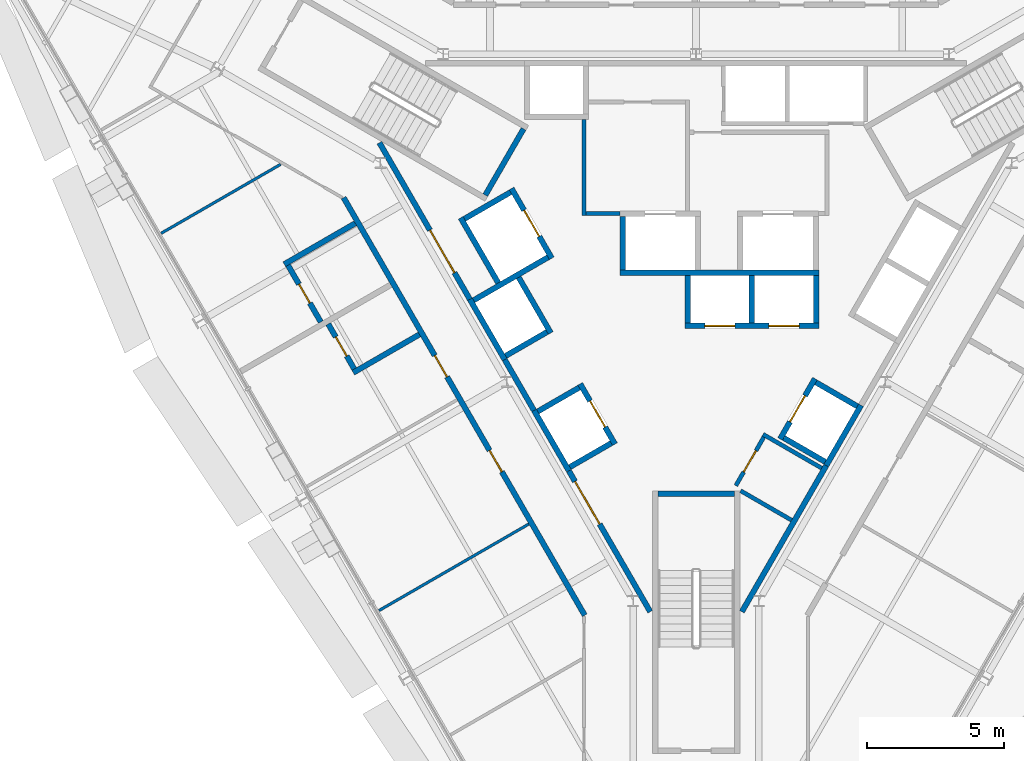
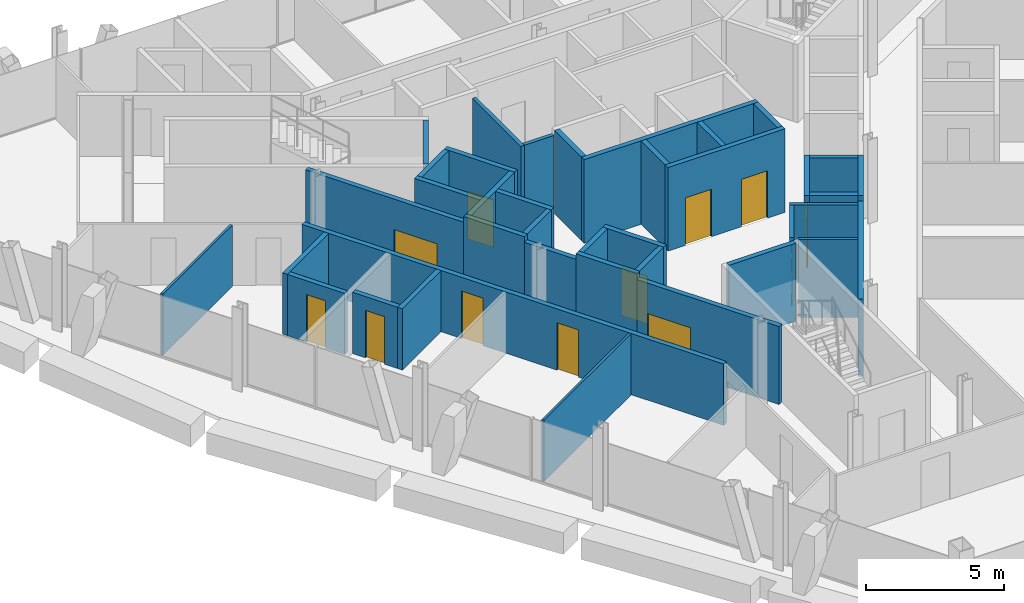
# One storey, part 9 of 13: 39 walls, 12 doors, 12 openings.
"""IFC4 building model written with IfcOpenShell, lengths in metres."""

from ifc_helpers import new_model, si_unit, direction, frame, frame_2d, origin, place, context, subcontext, project, spatial, rectangle, extrude, material, layer, layer_set, type_object, element, fill, save


model = new_model("IFC4")

# Units and contexts
model_context = context("Model", 3, precision=1e-05, world=origin(), true_north=direction((0.0, 1.0)))
body_context = subcontext(model_context, "Body", "Model", "MODEL_VIEW")
ifc_project = project(units=[si_unit("LENGTHUNIT", "METRE"), si_unit("AREAUNIT", "SQUARE_METRE"), si_unit("VOLUMEUNIT", "CUBIC_METRE"), si_unit("PLANEANGLEUNIT", "RADIAN"), si_unit("MASSUNIT", "GRAM", prefix="KILO")], contexts=[model_context])

# Site, building, storey
site_placement = place(None, origin())
site = spatial("IfcSite", under=ifc_project, at=site_placement, CompositionType="ELEMENT")
building_placement = place(site_placement, origin())
building = spatial("IfcBuilding", under=site, at=building_placement, Name="Verrane Prism Tower", CompositionType="ELEMENT")
storey_placement = place(building_placement, frame((0.0, 0.0, 152.5)))
storey = spatial("IfcBuildingStorey", under=building, at=storey_placement, Name="L37", CompositionType="ELEMENT", Elevation=152.5)

# Wall, opening, door
ifc_material_1 = material(Name="Gypsum board partition", Category="other")
ifc_layer_1 = layer(ifc_material_1, 0.199951171875)
ifc_layer_set_1 = layer_set([ifc_layer_1], Name="CW-200 core boundary wall 2 h")
wall_type_1 = type_object("IfcWallType", Name="CW-200 core boundary wall 2 h", PredefinedType="PARTITIONING", material=ifc_layer_set_1)
wall_1_placement = place(storey_placement, frame((-11.590576171875, 4.7548828125, 0.0), z_axis=(0.0, 0.0, 1.0), x_axis=(0.500043977787, -0.866000011708, 0.0)))
wall_1 = element("IfcWall", 1, at=wall_1_placement, inside=storey, type_object=wall_type_1, Name="Core boundary wall CW3-001", PredefinedType="PARTITIONING", context=body_context, shape_type="SweptSolid", body=[
    extrude(rectangle(XDim=6.61669921875, YDim=0.199951171875, at=frame_2d((3.308349609375, 0.0))), origin(), (0.0, 0.0, 1.0), 3.449951171875),
])
opening_1_placement = place(wall_1_placement, frame((3.695068359375, 0.0, 0.0)))
opening_1 = element("IfcOpeningElement", 2, at=opening_1_placement, cuts=wall_1, Name="Opening D36510", PredefinedType="OPENING", context=body_context, shape_type="SweptSolid", body=[
    extrude(rectangle(XDim=1.800048828125, YDim=2.10009765625, at=frame_2d((0.89990234375, 1.050048828125))), frame((0.0, 0.10986328125, 0.0), z_axis=(0.0, -1.0, 0.0), x_axis=(1.0, 0.0, 0.0)), (0.0, 0.0, 1.0), 0.219970703125),
])
ifc_material_2 = material(Name="Timber veneered door leaf", Category="wood")
door_type_1 = type_object("IfcDoorType", Name="DR-1800x2100 FD60 double leaf lift lobby", OperationType="NOTDEFINED", PredefinedType="DOOR", material=ifc_material_2)
door_1_placement = place(opening_1_placement, origin())
door_1 = element("IfcDoor", 3, at=door_1_placement, inside=storey, type_object=door_type_1, Name="Lift lobby door D36510", OperationType="DOUBLE_DOOR_SINGLE_SWING", OverallHeight=2.10009765625, OverallWidth=1.800048828125, PredefinedType="DOOR", context=body_context, shape_type="SweptSolid", body=[
    extrude(rectangle(XDim=1.800048828125, YDim=2.10009765625, at=frame_2d((0.89990234375, 1.050048828125))), frame((0.0, 0.02490234375, 0.0), z_axis=(0.0, -1.0, 0.0), x_axis=(1.0, 0.0, 0.0)), (0.0, 0.0, 1.0), 0.050048828125),
])
fill(opening_1, door_1)

# Wall
wall_2_placement = place(storey_placement, frame((-7.0048828125, -3.18701171875, 0.0), z_axis=(0.0, 0.0, 1.0), x_axis=(0.499689606989, -0.866204535123, 0.0)))
element("IfcWall", 4, at=wall_2_placement, inside=storey, type_object=wall_type_1, Name="Core boundary wall CW3-003", PredefinedType="PARTITIONING", context=body_context, shape_type="SweptSolid", body=[
    extrude(rectangle(XDim=2.144775390625, YDim=0.199951171875, at=frame_2d((1.072265625, 0.0))), origin(), (0.0, 0.0, 1.0), 3.449951171875),
])

# Wall, opening, door
wall_3_placement = place(storey_placement, frame((-4.655029296875, -7.257080078125, 0.0), z_axis=(0.0, 0.0, 1.0), x_axis=(0.499966124405, -0.866044960985, 0.0)))
wall_3 = element("IfcWall", 5, at=wall_3_placement, inside=storey, type_object=wall_type_1, Name="Core boundary wall CW3-004", PredefinedType="PARTITIONING", context=body_context, shape_type="SweptSolid", body=[
    extrude(rectangle(XDim=5.95556640625, YDim=0.199951171875, at=frame_2d((2.977783203125, 0.0))), origin(), (0.0, 0.0, 1.0), 3.449951171875),
])
opening_2_placement = place(wall_3_placement, frame((0.449951171875, 0.0, 0.0)))
opening_2 = element("IfcOpeningElement", 6, at=opening_2_placement, cuts=wall_3, Name="Opening D36511", PredefinedType="OPENING", context=body_context, shape_type="SweptSolid", body=[
    extrude(rectangle(XDim=1.800048828125, YDim=2.10009765625, at=frame_2d((0.89990234375, 1.050048828125))), frame((0.0, 0.10986328125, 0.0), z_axis=(0.0, -1.0, 0.0), x_axis=(1.0, 0.0, 0.0)), (0.0, 0.0, 1.0), 0.219970703125),
])
door_2_placement = place(opening_2_placement, origin())
door_2 = element("IfcDoor", 7, at=door_2_placement, inside=storey, type_object=door_type_1, Name="Lift lobby door D36511", OperationType="DOUBLE_DOOR_SINGLE_SWING", OverallHeight=2.10009765625, OverallWidth=1.800048828125, PredefinedType="DOOR", context=body_context, shape_type="SweptSolid", body=[
    extrude(rectangle(XDim=1.800048828125, YDim=2.10009765625, at=frame_2d((0.89990234375, 1.050048828125))), frame((0.0, 0.02490234375, 0.0), z_axis=(0.0, -1.0, 0.0), x_axis=(1.0, 0.0, 0.0)), (0.0, 0.0, 1.0), 0.050048828125),
])
fill(opening_2, door_2)

# Walls
wall_4_placement = place(storey_placement, frame((1.677490234375, -12.414794921875, 0.0), z_axis=(0.0, 0.0, 1.0), x_axis=(0.500054337157, 0.865994029939, 0.0)))
element("IfcWall", 8, at=wall_4_placement, inside=storey, type_object=wall_type_1, Name="Core boundary wall CW3-006", PredefinedType="PARTITIONING", context=body_context, shape_type="SweptSolid", body=[
    extrude(rectangle(XDim=6.176513671875, YDim=0.199951171875, at=frame_2d((3.08837890625, 0.0))), origin(), (0.0, 0.0, 1.0), 3.449951171875),
])
ifc_material_3 = material(Name="Concrete C40/50", Category="concrete")
ifc_layer_2 = layer(ifc_material_3, 0.199951171875)
ifc_layer_set_2 = layer_set([ifc_layer_2], Name="CW-200 stair core wall concrete C40/50 3 h")
wall_type_2 = type_object("IfcWallType", Name="CW-200 stair core wall concrete C40/50 3 h", PredefinedType="PARTITIONING", material=ifc_layer_set_2)
wall_5_placement = place(storey_placement, frame((-6.314697265625, 5.262451171875, 0.0), z_axis=(0.0, 0.0, 1.0), x_axis=(-0.500049511043, -0.865996816683, 0.0)))
element("IfcWall", 9, at=wall_5_placement, inside=storey, type_object=wall_type_2, Name="Stair 2 enclosure wall", PredefinedType="PARTITIONING", context=body_context, shape_type="SweptSolid", body=[
    extrude(rectangle(XDim=2.800048828125, YDim=0.199951171875, at=frame_2d((1.39990234375, 0.0))), origin(), (0.0, 0.0, 1.0), 3.449951171875),
])
wall_6_placement = place(storey_placement, frame((-1.39990234375, -8.10009765625, 0.0), z_axis=(0.0, 0.0, 1.0), x_axis=(1.0, 0.0, 0.0)))
element("IfcWall", 10, at=wall_6_placement, inside=storey, type_object=wall_type_2, Name="Stair 3 enclosure wall", PredefinedType="PARTITIONING", context=body_context, shape_type="SweptSolid", body=[
    extrude(rectangle(XDim=2.7998046875, YDim=0.199951171875, at=frame_2d((1.39990234375, 0.0))), origin(), (0.0, 0.0, 1.0), 3.449951171875),
])

# Wall, openings, doors
ifc_material_4 = material(Name="Gypsum board shaft wall assembly", Category="other")
ifc_layer_3 = layer(ifc_material_4, 0.199951171875)
ifc_layer_set_3 = layer_set([ifc_layer_3], Name="HW-200 lift shaft wall 2 h")
wall_type_3 = type_object("IfcWallType", Name="HW-200 lift shaft wall 2 h", PredefinedType="PARTITIONING", material=ifc_layer_set_3)
wall_7_placement = place(storey_placement, frame((-0.405029296875, -1.949951171875, 0.0), z_axis=(0.0, 0.0, 1.0), x_axis=(1.0, 0.0, 0.0)))
wall_7 = element("IfcWall", 11, at=wall_7_placement, inside=storey, type_object=wall_type_3, Name="Lift shaft wall", PredefinedType="PARTITIONING", context=body_context, shape_type="SweptSolid", body=[
    extrude(rectangle(XDim=4.900146484375, YDim=0.199951171875, at=frame_2d((2.4501953125, 0.0))), origin(), (0.0, 0.0, 1.0), 3.699951171875),
])
opening_3_placement = place(wall_7_placement, frame((0.72509765625, 0.0, 0.0)))
opening_3 = element("IfcOpeningElement", 12, at=opening_3_placement, cuts=wall_7, Name="Opening D36503", PredefinedType="OPENING", context=body_context, shape_type="SweptSolid", body=[
    extrude(rectangle(XDim=1.10009765625, YDim=2.10009765625, at=frame_2d((0.550048828125, 1.050048828125))), frame((0.0, 0.10986328125, 0.0), z_axis=(0.0, -1.0, 0.0), x_axis=(1.0, 0.0, 0.0)), (0.0, 0.0, 1.0), 0.219970703125),
])
opening_4_placement = place(wall_7_placement, frame((3.074951171875, 0.0, 0.0)))
opening_4 = element("IfcOpeningElement", 13, at=opening_4_placement, cuts=wall_7, Name="Opening D36504", PredefinedType="OPENING", context=body_context, shape_type="SweptSolid", body=[
    extrude(rectangle(XDim=1.10009765625, YDim=2.10009765625, at=frame_2d((0.550048828125, 1.050048828125))), frame((0.0, 0.10986328125, 0.0), z_axis=(0.0, -1.0, 0.0), x_axis=(1.0, 0.0, 0.0)), (0.0, 0.0, 1.0), 0.219970703125),
])
ifc_material_5 = material(Name="Stainless steel sliding landing door", Category="steel")
door_type_2 = type_object("IfcDoorType", Name="LD-1100x2100 lift landing door FD90 sliding", OperationType="NOTDEFINED", PredefinedType="DOOR", material=ifc_material_5)
door_3_placement = place(opening_3_placement, origin())
door_3 = element("IfcDoor", 14, at=door_3_placement, inside=storey, type_object=door_type_2, Name="Bank B lift 1 landing door", OperationType="SLIDING_TO_LEFT", OverallHeight=2.10009765625, OverallWidth=1.10009765625, PredefinedType="DOOR", context=body_context, shape_type="SweptSolid", body=[
    extrude(rectangle(XDim=1.10009765625, YDim=2.10009765625, at=frame_2d((0.550048828125, 1.050048828125))), frame((0.0, 0.02490234375, 0.0), z_axis=(0.0, -1.0, 0.0), x_axis=(1.0, 0.0, 0.0)), (0.0, 0.0, 1.0), 0.050048828125),
])
fill(opening_3, door_3)
door_4_placement = place(opening_4_placement, origin())
door_4 = element("IfcDoor", 15, at=door_4_placement, inside=storey, type_object=door_type_2, Name="Bank B lift 2 landing door", OperationType="SLIDING_TO_RIGHT", OverallHeight=2.10009765625, OverallWidth=1.10009765625, PredefinedType="DOOR", context=body_context, shape_type="SweptSolid", body=[
    extrude(rectangle(XDim=1.10009765625, YDim=2.10009765625, at=frame_2d((0.550048828125, 1.050048828125))), frame((0.0, 0.02490234375, 0.0), z_axis=(0.0, -1.0, 0.0), x_axis=(1.0, 0.0, 0.0)), (0.0, 0.0, 1.0), 0.050048828125),
])
fill(opening_4, door_4)

# Walls
wall_8_placement = place(storey_placement, frame((-2.784912109375, 0.0, 0.0), z_axis=(0.0, 0.0, 1.0), x_axis=(1.0, 0.0, 0.0)))
element("IfcWall", 16, at=wall_8_placement, inside=storey, type_object=wall_type_3, Name="Lift shaft wall", PredefinedType="PARTITIONING", context=body_context, shape_type="SweptSolid", body=[
    extrude(rectangle(XDim=7.280029296875, YDim=0.199951171875, at=frame_2d((3.64013671875, 0.0))), origin(), (0.0, 0.0, 1.0), 3.699951171875),
])
for number, where, z_axis, x_axis, name in (
    (17, (-4.61962890625, -7.118408203125, 0.0), (0.0, 0.0, 1.0), (0.866036909293, 0.499980071345, 0.0), "Lift shaft wall"),
    (18, (-5.794677734375, -5.083251953125, 0.0), (0.0, 0.0, 1.0), (0.866036909293, 0.499980071345, 0.0), "Lift shaft wall"),
    (19, (-6.9697265625, -3.048095703125, 0.0), (0.0, 0.0, 1.0), (0.866036909293, 0.499980071345, 0.0), "Lift shaft wall"),
):
    element("IfcWall", number, at=place(storey_placement, frame(where, z_axis=z_axis, x_axis=x_axis)), inside=storey, type_object=wall_type_3, Name=name, PredefinedType="PARTITIONING", context=body_context, shape_type="SweptSolid", body=[
        extrude(rectangle(XDim=1.75, YDim=0.199951171875, at=frame_2d((0.875, 0.0))), origin(), (0.0, 0.0, 1.0), 3.699951171875),
    ])
wall_9_placement = place(storey_placement, frame((-8.14453125, -1.012939453125, 0.0), z_axis=(0.0, 0.0, 1.0), x_axis=(0.866016494683, 0.500015430699, 0.0)))
element("IfcWall", 20, at=wall_9_placement, inside=storey, type_object=wall_type_3, Name="Lift shaft wall", PredefinedType="PARTITIONING", context=body_context, shape_type="SweptSolid", body=[
    extrude(rectangle(XDim=3.14990234375, YDim=0.199951171875, at=frame_2d((1.574951171875, 0.0))), origin(), (0.0, 0.0, 1.0), 3.699951171875),
])
wall_10_placement = place(storey_placement, frame((-8.48046875, 1.968505859375, 0.0), z_axis=(0.0, 0.0, 1.0), x_axis=(0.866000020948, 0.500043961785, 0.0)))
element("IfcWall", 21, at=wall_10_placement, inside=storey, type_object=wall_type_3, Name="Lift shaft wall", PredefinedType="PARTITIONING", context=body_context, shape_type="SweptSolid", body=[
    extrude(rectangle(XDim=1.949951171875, YDim=0.199951171875, at=frame_2d((0.97509765625, 0.0))), origin(), (0.0, 0.0, 1.0), 3.699951171875),
])
wall_11_placement = place(storey_placement, frame((4.766357421875, -7.064697265625, 0.0), z_axis=(0.0, 0.0, 1.0), x_axis=(0.499948979701, 0.866054858364, 0.0)))
element("IfcWall", 22, at=wall_11_placement, inside=storey, type_object=wall_type_3, Name="Lift shaft wall", PredefinedType="PARTITIONING", context=body_context, shape_type="SweptSolid", body=[
    extrude(rectangle(XDim=2.550048828125, YDim=0.199951171875, at=frame_2d((1.27490234375, 0.0))), origin(), (0.0, 0.0, 1.0), 3.699951171875),
])

# Wall, opening, door
wall_12_placement = place(storey_placement, frame((3.077392578125, -6.089599609375, 0.0), z_axis=(0.0, 0.0, 1.0), x_axis=(0.500062241894, 0.865989465428, 0.0)))
wall_12 = element("IfcWall", 23, at=wall_12_placement, inside=storey, type_object=wall_type_3, Name="Lift shaft wall", PredefinedType="PARTITIONING", context=body_context, shape_type="SweptSolid", body=[
    extrude(rectangle(XDim=2.550048828125, YDim=0.199951171875, at=frame_2d((1.27490234375, 0.0))), origin(), (0.0, 0.0, 1.0), 3.699951171875),
])
opening_5_placement = place(wall_12_placement, frame((0.72509765625, 0.0, 0.0)))
opening_5 = element("IfcOpeningElement", 24, at=opening_5_placement, cuts=wall_12, Name="Opening D36505", PredefinedType="OPENING", context=body_context, shape_type="SweptSolid", body=[
    extrude(rectangle(XDim=1.10009765625, YDim=2.10009765625, at=frame_2d((0.550048828125, 1.050048828125))), frame((0.0, 0.10986328125, 0.0), z_axis=(0.0, -1.0, 0.0), x_axis=(1.0, 0.0, 0.0)), (0.0, 0.0, 1.0), 0.219970703125),
])
door_5_placement = place(opening_5_placement, origin())
door_5 = element("IfcDoor", 25, at=door_5_placement, inside=storey, type_object=door_type_2, Name="Bank B lift 3 landing door", OperationType="SLIDING_TO_LEFT", OverallHeight=2.10009765625, OverallWidth=1.10009765625, PredefinedType="DOOR", context=body_context, shape_type="SweptSolid", body=[
    extrude(rectangle(XDim=1.10009765625, YDim=2.10009765625, at=frame_2d((0.550048828125, 1.050048828125))), frame((0.0, 0.02490234375, 0.0), z_axis=(0.0, -1.0, 0.0), x_axis=(1.0, 0.0, 0.0)), (0.0, 0.0, 1.0), 0.050048828125),
])
fill(opening_5, door_5)

# Walls
for number, where, z_axis, x_axis, name in (
    (26, (4.39501953125, -1.85009765625, 0.0), (0.0, 0.0, 1.0), (0.0, 1.0, 0.0), "Lift shaft wall"),
    (27, (2.044921875, -1.85009765625, 0.0), (0.0, 0.0, 1.0), (0.0, 1.0, 0.0), "Lift shaft wall"),
    (28, (-0.304931640625, -1.85009765625, 0.0), (0.0, 0.0, 1.0), (0.0, 1.0, 0.0), "Lift shaft wall"),
):
    element("IfcWall", number, at=place(storey_placement, frame(where, z_axis=z_axis, x_axis=x_axis)), inside=storey, type_object=wall_type_3, Name=name, PredefinedType="PARTITIONING", context=body_context, shape_type="SweptSolid", body=[
        extrude(rectangle(XDim=1.75, YDim=0.199951171875, at=frame_2d((0.875, 0.0))), origin(), (0.0, 0.0, 1.0), 3.699951171875),
    ])
wall_13_placement = place(storey_placement, frame((-2.68505859375, 0.10009765625, 0.0), z_axis=(0.0, 0.0, 1.0), x_axis=(0.0, 1.0, 0.0)))
element("IfcWall", 29, at=wall_13_placement, inside=storey, type_object=wall_type_3, Name="Lift shaft wall", PredefinedType="PARTITIONING", context=body_context, shape_type="SweptSolid", body=[
    extrude(rectangle(XDim=1.949951171875, YDim=0.199951171875, at=frame_2d((0.97509765625, 0.0))), origin(), (0.0, 0.0, 1.0), 3.699951171875),
])

# Wall, opening, door
wall_14_placement = place(storey_placement, frame((-5.280029296875, 0.525390625, 0.0), z_axis=(0.0, 0.0, 1.0), x_axis=(-0.500037662692, 0.866003658127, 0.0)))
wall_14 = element("IfcWall", 30, at=wall_14_placement, inside=storey, type_object=wall_type_3, Name="Lift shaft wall", PredefinedType="PARTITIONING", context=body_context, shape_type="SweptSolid", body=[
    extrude(rectangle(XDim=2.949951171875, YDim=0.199951171875, at=frame_2d((1.47509765625, 0.0))), origin(), (0.0, 0.0, 1.0), 3.699951171875),
])
opening_6_placement = place(wall_14_placement, frame((0.925048828125, 0.0, 0.0)))
opening_6 = element("IfcOpeningElement", 31, at=opening_6_placement, cuts=wall_14, Name="Opening D36509", PredefinedType="OPENING", context=body_context, shape_type="SweptSolid", body=[
    extrude(rectangle(XDim=1.10009765625, YDim=2.10009765625, at=frame_2d((0.550048828125, 1.050048828125))), frame((0.0, 0.10986328125, 0.0), z_axis=(0.0, -1.0, 0.0), x_axis=(1.0, 0.0, 0.0)), (0.0, 0.0, 1.0), 0.219970703125),
])
door_6_placement = place(opening_6_placement, origin())
door_6 = element("IfcDoor", 32, at=door_6_placement, inside=storey, type_object=door_type_2, Name="Service lift 1 landing door", OperationType="SLIDING_TO_LEFT", OverallHeight=2.10009765625, OverallWidth=1.10009765625, PredefinedType="DOOR", context=body_context, shape_type="SweptSolid", body=[
    extrude(rectangle(XDim=1.10009765625, YDim=2.10009765625, at=frame_2d((0.550048828125, 1.050048828125))), frame((0.0, 0.02490234375, 0.0), z_axis=(0.0, -1.0, 0.0), x_axis=(1.0, 0.0, 0.0)), (0.0, 0.0, 1.0), 0.050048828125),
])
fill(opening_6, door_6)

wall_15_placement = place(storey_placement, frame((-2.967529296875, -6.280029296875, 0.0), z_axis=(0.0, 0.0, 1.0), x_axis=(-0.499990435942, 0.866030925526, 0.0)))
wall_15 = element("IfcWall", 33, at=wall_15_placement, inside=storey, type_object=wall_type_3, Name="Lift shaft wall", PredefinedType="PARTITIONING", context=body_context, shape_type="SweptSolid", body=[
    extrude(rectangle(XDim=2.5498046875, YDim=0.199951171875, at=frame_2d((1.27490234375, 0.0))), origin(), (0.0, 0.0, 1.0), 3.699951171875),
])
opening_7_placement = place(wall_15_placement, frame((0.72509765625, 0.0, 0.0)))
opening_7 = element("IfcOpeningElement", 34, at=opening_7_placement, cuts=wall_15, Name="Opening D36506", PredefinedType="OPENING", context=body_context, shape_type="SweptSolid", body=[
    extrude(rectangle(XDim=1.10009765625, YDim=2.10009765625, at=frame_2d((0.550048828125, 1.050048828125))), frame((0.0, 0.10986328125, 0.0), z_axis=(0.0, -1.0, 0.0), x_axis=(1.0, 0.0, 0.0)), (0.0, 0.0, 1.0), 0.219970703125),
])
door_7_placement = place(opening_7_placement, origin())
door_7 = element("IfcDoor", 35, at=door_7_placement, inside=storey, type_object=door_type_2, Name="Bank B lift 4 landing door", OperationType="SLIDING_TO_RIGHT", OverallHeight=2.10009765625, OverallWidth=1.10009765625, PredefinedType="DOOR", context=body_context, shape_type="SweptSolid", body=[
    extrude(rectangle(XDim=1.10009765625, YDim=2.10009765625, at=frame_2d((0.550048828125, 1.050048828125))), frame((0.0, 0.02490234375, 0.0), z_axis=(0.0, -1.0, 0.0), x_axis=(1.0, 0.0, 0.0)), (0.0, 0.0, 1.0), 0.050048828125),
])
fill(opening_7, door_7)

# Walls
wall_16_placement = place(storey_placement, frame((-5.317626953125, -2.209716796875, 0.0), z_axis=(0.0, 0.0, 1.0), x_axis=(-0.499938297808, 0.866061024631, 0.0)))
element("IfcWall", 36, at=wall_16_placement, inside=storey, type_object=wall_type_3, Name="Lift shaft wall", PredefinedType="PARTITIONING", context=body_context, shape_type="SweptSolid", body=[
    extrude(rectangle(XDim=2.349853515625, YDim=0.199951171875, at=frame_2d((1.1748046875, 0.0))), origin(), (0.0, 0.0, 1.0), 3.699951171875),
])
wall_17_placement = place(storey_placement, frame((-7.241943359375, -0.37646484375, 0.0), z_axis=(0.0, 0.0, 1.0), x_axis=(-0.499996545922, 0.866027397988, 0.0)))
element("IfcWall", 37, at=wall_17_placement, inside=storey, type_object=wall_type_3, Name="Lift shaft wall", PredefinedType="PARTITIONING", context=body_context, shape_type="SweptSolid", body=[
    extrude(rectangle(XDim=2.75, YDim=0.199951171875, at=frame_2d((1.375, 0.0))), origin(), (0.0, 0.0, 1.0), 3.699951171875),
])
for number, where, z_axis, x_axis, name in (
    (38, (-4.65625, -7.255126953125, 0.0), (0.0, 0.0, 1.0), (-0.499990435942, 0.866030925526, 0.0), "Lift shaft wall"),
    (39, (-7.00634765625, -3.184814453125, 0.0), (0.0, 0.0, 1.0), (-0.499990435942, 0.866030925526, 0.0), "Lift shaft wall"),
):
    element("IfcWall", number, at=place(storey_placement, frame(where, z_axis=z_axis, x_axis=x_axis)), inside=storey, type_object=wall_type_3, Name=name, PredefinedType="PARTITIONING", context=body_context, shape_type="SweptSolid", body=[
        extrude(rectangle(XDim=2.5498046875, YDim=0.199951171875, at=frame_2d((1.27490234375, 0.0))), origin(), (0.0, 0.0, 1.0), 3.699951171875),
    ])
wall_18_placement = place(storey_placement, frame((5.904541015625, -4.892822265625, 0.0), z_axis=(0.0, 0.0, 1.0), x_axis=(-0.866002029911, 0.500040482552, 0.0)))
element("IfcWall", 40, at=wall_18_placement, inside=storey, type_object=wall_type_3, Name="Lift shaft wall", PredefinedType="PARTITIONING", context=body_context, shape_type="SweptSolid", body=[
    extrude(rectangle(XDim=1.749755859375, YDim=0.199951171875, at=frame_2d((0.875, 0.0))), origin(), (0.0, 0.0, 1.0), 3.699951171875),
])
wall_19_placement = place(storey_placement, frame((4.729736328125, -6.927978515625, 0.0), z_axis=(0.0, 0.0, 1.0), x_axis=(-0.866036909293, 0.499980071345, 0.0)))
element("IfcWall", 41, at=wall_19_placement, inside=storey, type_object=wall_type_3, Name="Lift shaft wall", PredefinedType="PARTITIONING", context=body_context, shape_type="SweptSolid", body=[
    extrude(rectangle(XDim=1.75, YDim=0.199951171875, at=frame_2d((0.875, 0.0))), origin(), (0.0, 0.0, 1.0), 3.699951171875),
])
ifc_material_6 = material(Name="Gypsum board partition", Category="other")
ifc_layer_4 = layer(ifc_material_6, 0.14990234375)
ifc_layer_set_4 = layer_set([ifc_layer_4], Name="LF-150 firefighting lobby wall 1 h")
wall_type_4 = type_object("IfcWallType", Name="LF-150 firefighting lobby wall 1 h", PredefinedType="PARTITIONING", material=ifc_layer_set_4)
wall_20_placement = place(storey_placement, frame((-4.10009765625, 2.0849609375, 0.0), z_axis=(0.0, 0.0, 1.0), x_axis=(0.0, 1.0, 0.0)))
element("IfcWall", 42, at=wall_20_placement, inside=storey, type_object=wall_type_4, Name="Firefighting lobby wall LF1-001", PredefinedType="PARTITIONING", context=body_context, shape_type="SweptSolid", body=[
    extrude(rectangle(XDim=3.52294921875, YDim=0.14990234375, at=frame_2d((1.761474609375, 0.0))), origin(), (0.0, 0.0, 1.0), 3.449951171875),
])
wall_21_placement = place(storey_placement, frame((-4.02490234375, 2.159912109375, 0.0), z_axis=(0.0, 0.0, 1.0), x_axis=(1.0, 0.0, 0.0)))
element("IfcWall", 43, at=wall_21_placement, inside=storey, type_object=wall_type_4, Name="Firefighting lobby wall LF1-002", PredefinedType="PARTITIONING", context=body_context, shape_type="SweptSolid", body=[
    extrude(rectangle(XDim=1.23779296875, YDim=0.14990234375, at=frame_2d((0.618896484375, 0.0))), origin(), (0.0, 0.0, 1.0), 3.449951171875),
])
ifc_material_7 = material(Name="Gypsum board partition", Category="other")
ifc_layer_5 = layer(ifc_material_7, 0.10009765625)
ifc_layer_set_5 = layer_set([ifc_layer_5], Name="PW-100 room partition")
wall_type_5 = type_object("IfcWallType", Name="PW-100 room partition", PredefinedType="PARTITIONING", material=ifc_layer_set_5)
wall_22_placement = place(storey_placement, frame((-19.578857421875, 1.44091796875, 0.0), z_axis=(0.0, 0.0, 1.0), x_axis=(0.866033235887, 0.499986434155, 0.0)))
element("IfcWall", 44, at=wall_22_placement, inside=storey, type_object=wall_type_5, Name="Room partition 004", PredefinedType="PARTITIONING", context=body_context, shape_type="SweptSolid", body=[
    extrude(rectangle(XDim=5.043701171875, YDim=0.10009765625, at=frame_2d((2.52197265625, 0.0))), origin(), (0.0, 0.0, 1.0), 2.712890625),
])
wall_23_placement = place(storey_placement, frame((-11.60498046875, -12.3701171875, 0.0), z_axis=(0.0, 0.0, 1.0), x_axis=(0.866017278078, 0.500014073873, 0.0)))
element("IfcWall", 45, at=wall_23_placement, inside=storey, type_object=wall_type_5, Name="Room partition 016", PredefinedType="PARTITIONING", context=body_context, shape_type="SweptSolid", body=[
    extrude(rectangle(XDim=6.328857421875, YDim=0.10009765625, at=frame_2d((3.16455078125, 0.0))), origin(), (0.0, 0.0, 1.0), 2.712890625),
])

# Wall, opening, door
ifc_material_8 = material(Name="Gypsum board partition", Category="other")
ifc_layer_6 = layer(ifc_material_8, 0.199951171875)
ifc_layer_set_6 = layer_set([ifc_layer_6], Name="PW-200 plumbing wall")
wall_type_6 = type_object("IfcWallType", Name="PW-200 plumbing wall", PredefinedType="PARTITIONING", material=ifc_layer_set_6)
wall_24_placement = place(storey_placement, frame((-14.93798828125, 0.2705078125, 0.0), z_axis=(0.0, 0.0, 1.0), x_axis=(0.499913221443, -0.866075499611, 0.0)))
wall_24 = element("IfcWall", 46, at=wall_24_placement, inside=storey, type_object=wall_type_6, Name="Plumbing wall 008", PredefinedType="PARTITIONING", context=body_context, shape_type="SweptSolid", body=[
    extrude(rectangle(XDim=2.400390625, YDim=0.199951171875, at=frame_2d((1.2001953125, 0.0))), origin(), (0.0, 0.0, 1.0), 2.712890625),
])
opening_8_placement = place(wall_24_placement, frame((0.800048828125, 0.0, 0.0)))
opening_8 = element("IfcOpeningElement", 47, at=opening_8_placement, cuts=wall_24, Name="Opening D36023", PredefinedType="OPENING", context=body_context, shape_type="SweptSolid", body=[
    extrude(rectangle(XDim=0.800048828125, YDim=2.10009765625, at=frame_2d((0.39990234375, 1.050048828125))), frame((0.0, 0.10986328125, 0.0), z_axis=(0.0, -1.0, 0.0), x_axis=(1.0, 0.0, 0.0)), (0.0, 0.0, 1.0), 0.219970703125),
])
ifc_material_9 = material(Name="Timber veneered door leaf", Category="wood")
door_type_3 = type_object("IfcDoorType", Name="DR-800x2100 single leaf bath", OperationType="NOTDEFINED", PredefinedType="DOOR", material=ifc_material_9)
door_8_placement = place(opening_8_placement, origin())
door_8 = element("IfcDoor", 48, at=door_8_placement, inside=storey, type_object=door_type_3, Name="Master Bathroom door", OperationType="SINGLE_SWING_LEFT", OverallHeight=2.10009765625, OverallWidth=0.800048828125, PredefinedType="DOOR", context=body_context, shape_type="SweptSolid", body=[
    extrude(rectangle(XDim=0.800048828125, YDim=2.10009765625, at=frame_2d((0.39990234375, 1.050048828125))), frame((0.0, 0.02490234375, 0.0), z_axis=(0.0, -1.0, 0.0), x_axis=(1.0, 0.0, 0.0)), (0.0, 0.0, 1.0), 0.050048828125),
])
fill(opening_8, door_8)

# Wall
wall_25_placement = place(storey_placement, frame((-15.07470703125, 0.30712890625, 0.0), z_axis=(0.0, 0.0, 1.0), x_axis=(0.866134024916, 0.499811815469, 0.0)))
element("IfcWall", 49, at=wall_25_placement, inside=storey, type_object=wall_type_6, Name="Plumbing wall 009", PredefinedType="PARTITIONING", context=body_context, shape_type="SweptSolid", body=[
    extrude(rectangle(XDim=2.995849609375, YDim=0.199951171875, at=frame_2d((1.498046875, 0.0))), origin(), (0.0, 0.0, 1.0), 2.712890625),
])

# Wall, opening, door
wall_26_placement = place(storey_placement, frame((-13.464111328125, -1.881591796875, 0.0), z_axis=(0.0, 0.0, 1.0), x_axis=(0.500007885066, -0.866020851292, 0.0)))
wall_26 = element("IfcWall", 50, at=wall_26_placement, inside=storey, type_object=wall_type_6, Name="Plumbing wall 011", PredefinedType="PARTITIONING", context=body_context, shape_type="SweptSolid", body=[
    extrude(rectangle(XDim=1.900390625, YDim=0.199951171875, at=frame_2d((0.9501953125, 0.0))), origin(), (0.0, 0.0, 1.0), 2.712890625),
])
opening_9_placement = place(wall_26_placement, frame((0.550048828125, 0.0, 0.0)))
opening_9 = element("IfcOpeningElement", 51, at=opening_9_placement, cuts=wall_26, Name="Opening D36025", PredefinedType="OPENING", context=body_context, shape_type="SweptSolid", body=[
    extrude(rectangle(XDim=0.800048828125, YDim=2.10009765625, at=frame_2d((0.39990234375, 1.050048828125))), frame((0.0, 0.10986328125, 0.0), z_axis=(0.0, -1.0, 0.0), x_axis=(1.0, 0.0, 0.0)), (0.0, 0.0, 1.0), 0.219970703125),
])
door_9_placement = place(opening_9_placement, origin())
door_9 = element("IfcDoor", 52, at=door_9_placement, inside=storey, type_object=door_type_3, Name="Bathroom door", OperationType="SINGLE_SWING_LEFT", OverallHeight=2.10009765625, OverallWidth=0.800048828125, PredefinedType="DOOR", context=body_context, shape_type="SweptSolid", body=[
    extrude(rectangle(XDim=0.800048828125, YDim=2.10009765625, at=frame_2d((0.39990234375, 1.050048828125))), frame((0.0, 0.02490234375, 0.0), z_axis=(0.0, -1.0, 0.0), x_axis=(1.0, 0.0, 0.0)), (0.0, 0.0, 1.0), 0.050048828125),
])
fill(opening_9, door_9)

# Wall, openings, doors
wall_27_placement = place(storey_placement, frame((-4.074951171875, -12.54541015625, 0.0), z_axis=(0.0, 0.0, 1.0), x_axis=(-0.499999743747, 0.866025551732, 0.0)))
wall_27 = element("IfcWall", 53, at=wall_27_placement, inside=storey, type_object=wall_type_6, Name="Plumbing wall 012", PredefinedType="PARTITIONING", context=body_context, shape_type="SweptSolid", body=[
    extrude(rectangle(XDim=17.65625, YDim=0.199951171875, at=frame_2d((8.828125, 0.0))), origin(), (0.0, 0.0, 1.0), 2.712890625),
])
opening_10_placement = place(wall_27_placement, frame((10.080078125, 0.0, 0.0)))
opening_10 = element("IfcOpeningElement", 54, at=opening_10_placement, cuts=wall_27, Name="Opening D36024", PredefinedType="OPENING", context=body_context, shape_type="SweptSolid", body=[
    extrude(rectangle(XDim=0.89990234375, YDim=2.10009765625, at=frame_2d((0.449951171875, 1.050048828125))), frame((0.0, 0.10986328125, 0.0), z_axis=(0.0, -1.0, 0.0), x_axis=(1.0, 0.0, 0.0)), (0.0, 0.0, 1.0), 0.219970703125),
])
opening_11_placement = place(wall_27_placement, frame((6.068115234375, 0.0, 0.0)))
opening_11 = element("IfcOpeningElement", 55, at=opening_11_placement, cuts=wall_27, Name="Opening D36026", PredefinedType="OPENING", context=body_context, shape_type="SweptSolid", body=[
    extrude(rectangle(XDim=0.89990234375, YDim=2.10009765625, at=frame_2d((0.449951171875, 1.050048828125))), frame((0.0, 0.10986328125, 0.0), z_axis=(0.0, -1.0, 0.0), x_axis=(1.0, 0.0, 0.0)), (0.0, 0.0, 1.0), 0.219970703125),
])
ifc_material_10 = material(Name="Timber veneered door leaf", Category="wood")
door_type_4 = type_object("IfcDoorType", Name="DR-900x2100 single leaf inner", OperationType="NOTDEFINED", PredefinedType="DOOR", material=ifc_material_10)
door_10_placement = place(opening_10_placement, origin())
door_10 = element("IfcDoor", 56, at=door_10_placement, inside=storey, type_object=door_type_4, Name="Bedroom door", OperationType="SINGLE_SWING_LEFT", OverallHeight=2.10009765625, OverallWidth=0.89990234375, PredefinedType="DOOR", context=body_context, shape_type="SweptSolid", body=[
    extrude(rectangle(XDim=0.89990234375, YDim=2.10009765625, at=frame_2d((0.449951171875, 1.050048828125))), frame((0.0, 0.02490234375, 0.0), z_axis=(0.0, -1.0, 0.0), x_axis=(1.0, 0.0, 0.0)), (0.0, 0.0, 1.0), 0.050048828125),
])
fill(opening_10, door_10)
ifc_material_11 = material(Name="Timber veneered door leaf", Category="wood")
door_type_5 = type_object("IfcDoorType", Name="DR-900x2100 single leaf unit", OperationType="NOTDEFINED", PredefinedType="DOOR", material=ifc_material_11)
door_11_placement = place(opening_11_placement, origin())
door_11 = element("IfcDoor", 57, at=door_11_placement, inside=storey, type_object=door_type_5, Name="Study door", OperationType="SINGLE_SWING_LEFT", OverallHeight=2.10009765625, OverallWidth=0.89990234375, PredefinedType="DOOR", context=body_context, shape_type="SweptSolid", body=[
    extrude(rectangle(XDim=0.89990234375, YDim=2.10009765625, at=frame_2d((0.449951171875, 1.050048828125))), frame((0.0, 0.02490234375, 0.0), z_axis=(0.0, -1.0, 0.0), x_axis=(1.0, 0.0, 0.0)), (0.0, 0.0, 1.0), 0.050048828125),
])
fill(opening_11, door_11)

# Wall
wall_28_placement = place(storey_placement, frame((-12.550537109375, -3.6640625, 0.0), z_axis=(0.0, 0.0, 1.0), x_axis=(0.865909567298, 0.500200581029, 0.0)))
element("IfcWall", 58, at=wall_28_placement, inside=storey, type_object=wall_type_6, Name="Plumbing wall 015", PredefinedType="PARTITIONING", context=body_context, shape_type="SweptSolid", body=[
    extrude(rectangle(XDim=2.799072265625, YDim=0.199951171875, at=frame_2d((1.3994140625, 0.0))), origin(), (0.0, 0.0, 1.0), 2.712890625),
])

# Wall, opening, door
ifc_material_12 = material(Name="Gypsum board partition", Category="other")
ifc_layer_7 = layer(ifc_material_12, 0.14990234375)
ifc_layer_set_7 = layer_set([ifc_layer_7], Name="RS-150 riser enclosure wall 1 h")
wall_type_7 = type_object("IfcWallType", Name="RS-150 riser enclosure wall 1 h", PredefinedType="PARTITIONING", material=ifc_layer_set_7)
wall_29_placement = place(storey_placement, frame((2.4814453125, -6.02197265625, 0.0), z_axis=(0.0, 0.0, 1.0), x_axis=(-0.499801470403, -0.866139994564, 0.0)))
wall_29 = element("IfcWall", 59, at=wall_29_placement, inside=storey, type_object=wall_type_7, Name="Riser wall RS3-003", PredefinedType="PARTITIONING", context=body_context, shape_type="SweptSolid", body=[
    extrude(rectangle(XDim=2.050537109375, YDim=0.14990234375, at=frame_2d((1.025390625, 0.0))), origin(), (0.0, 0.0, 1.0), 3.449951171875),
])
opening_12_placement = place(wall_29_placement, frame((0.57568359375, 0.0, 0.0)))
opening_12 = element("IfcOpeningElement", 60, at=opening_12_placement, cuts=wall_29, Name="Opening D36516", PredefinedType="OPENING", context=body_context, shape_type="SweptSolid", body=[
    extrude(rectangle(XDim=0.89990234375, YDim=2.10009765625, at=frame_2d((0.449951171875, 1.050048828125))), frame((0.0, 0.0849609375, 0.0), z_axis=(0.0, -1.0, 0.0), x_axis=(1.0, 0.0, 0.0)), (0.0, 0.0, 1.0), 0.169921875),
])
ifc_material_13 = material(Name="Timber veneered door leaf", Category="wood")
door_type_6 = type_object("IfcDoorType", Name="DR-900x2100 FD20 single leaf store", OperationType="NOTDEFINED", PredefinedType="DOOR", material=ifc_material_13)
door_12_placement = place(opening_12_placement, origin())
door_12 = element("IfcDoor", 61, at=door_12_placement, inside=storey, type_object=door_type_6, Name="Room door D36516", OperationType="SINGLE_SWING_RIGHT", OverallHeight=2.10009765625, OverallWidth=0.89990234375, PredefinedType="DOOR", context=body_context, shape_type="SweptSolid", body=[
    extrude(rectangle(XDim=0.89990234375, YDim=2.10009765625, at=frame_2d((0.449951171875, 1.050048828125))), frame((0.0, 0.02490234375, 0.0), z_axis=(0.0, -1.0, 0.0), x_axis=(1.0, 0.0, 0.0)), (0.0, 0.0, 1.0), 0.050048828125),
])
fill(opening_12, door_12)

# Walls
wall_30_placement = place(storey_placement, frame((1.631103515625, -7.985595703125, 0.0), z_axis=(0.0, 0.0, 1.0), x_axis=(0.866038426532, -0.499977443261, 0.0)))
element("IfcWall", 62, at=wall_30_placement, inside=storey, type_object=wall_type_7, Name="Riser wall RS3-004", PredefinedType="PARTITIONING", context=body_context, shape_type="SweptSolid", body=[
    extrude(rectangle(XDim=2.15478515625, YDim=0.14990234375, at=frame_2d((1.077392578125, 0.0))), origin(), (0.0, 0.0, 1.0), 3.449951171875),
])
wall_31_placement = place(storey_placement, frame((2.4541015625, -5.91943359375, 0.0), z_axis=(0.0, 0.0, 1.0), x_axis=(0.866006523861, -0.500032699561, 0.0)))
element("IfcWall", 63, at=wall_31_placement, inside=storey, type_object=wall_type_7, Name="Riser wall RS3-005", PredefinedType="PARTITIONING", context=body_context, shape_type="SweptSolid", body=[
    extrude(rectangle(XDim=2.474853515625, YDim=0.14990234375, at=frame_2d((1.2373046875, 0.0))), origin(), (0.0, 0.0, 1.0), 3.449951171875),
])

save(model, "model.ifc")
